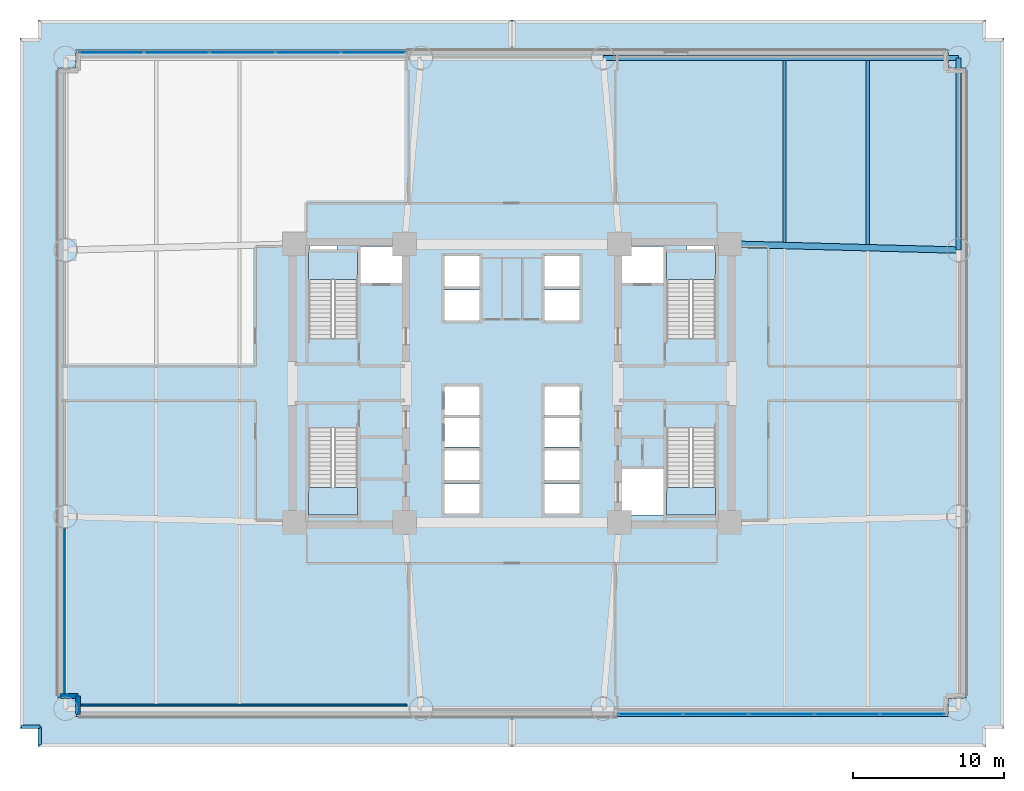
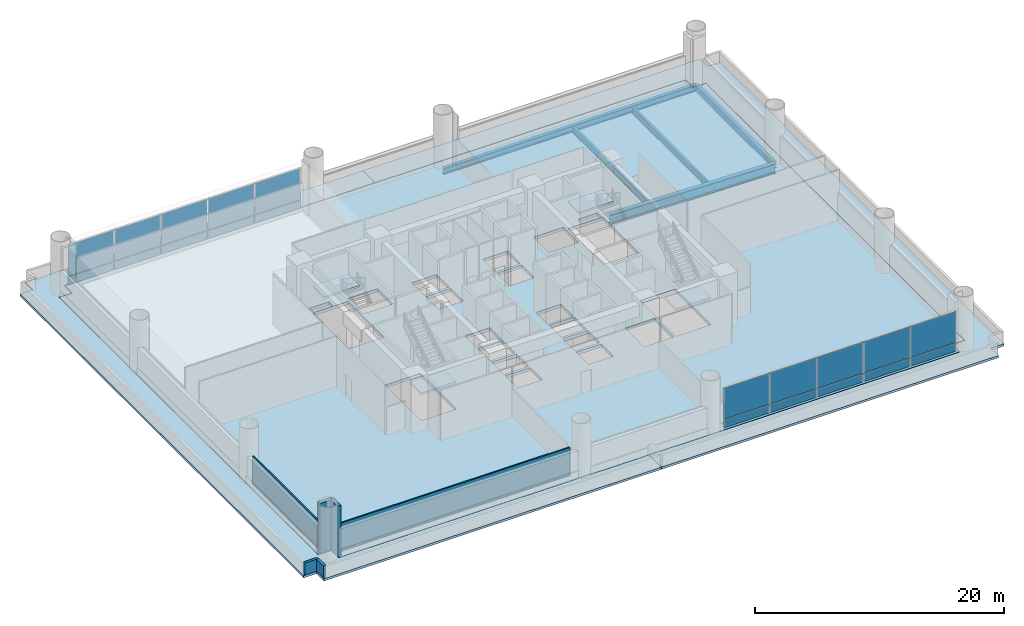
# One storey, part 4 of 12: 20 plates, 7 slabs, 6 walls, 5 beams, 6 elements without a shape of their own.
"""IFC4 building model written with IfcOpenShell, lengths in metres."""

import ifcopenshell
import ifcopenshell.guid

model = None  # the IFC model being written
_history = None  # IfcOwnerHistory: only IFC2X3 demands one
_inside = {}  # id of a spatial element -> (the spatial element, [elements in it])
_under = {}  # id of a project, library or spatial element -> (it, [spatial elements below it])
_declared = {}  # id of a project -> (the project, [libraries it declares])
_typed = {}  # id of a type object -> (the type object, [elements of that type])
_made_of = {}  # id of a material, layer set ... -> (it, [elements and type objects made of it])


def new_model(schema):
    """Start an empty IFC model of exactly this schema.

    Asked for "IFC4X3", IfcOpenShell would pick the latest addendum, in which some entities
    have other attributes; the version numbers below select the first issue.
    IFC2X3 requires an IfcOwnerHistory on every rooted entity: one is made here for all.
    """
    global model, _history
    if schema == "IFC4X3":
        model = ifcopenshell.file(schema_version=(4, 3, 0, 0))
    else:
        model = ifcopenshell.file(schema=schema)
    _inside.clear()
    _under.clear()
    _declared.clear()
    _typed.clear()
    _made_of.clear()
    _history = None
    if model.schema == "IFC2X3":
        org = make("IfcOrganization", Name="unknown")
        user = make(
            "IfcPersonAndOrganization",
            ThePerson=make("IfcPerson", FamilyName="unknown"),
            TheOrganization=org,
        )
        app = make(
            "IfcApplication",
            ApplicationDeveloper=org,
            Version="unknown",
            ApplicationFullName="unknown",
            ApplicationIdentifier="unknown",
        )
        _history = make(
            "IfcOwnerHistory",
            OwningUser=user,
            OwningApplication=app,
            ChangeAction="ADDED",
            CreationDate=0,
        )
    return model


def make(cls, **values):
    """One entity of the class cls with the attributes given. An attribute that is None is left unset."""
    return model.create_entity(
        cls, **{name: value for name, value in values.items() if value is not None}
    )


def rooted(cls, **values):
    """An entity with a GlobalId (a new one), such as an element, a storey or a relation."""
    return make(cls, GlobalId=ifcopenshell.guid.new(), OwnerHistory=_history, **values)


def si_unit(unit_type, name, prefix=None):
    """IfcSIUnit, for example si_unit("LENGTHUNIT", "METRE", prefix="MILLI")."""
    return make("IfcSIUnit", UnitType=unit_type, Prefix=prefix, Name=name)


def assignment(units):
    """IfcUnitAssignment: the units of a project."""
    return None if units is None else make("IfcUnitAssignment", Units=units)


def point(xyz):
    """IfcCartesianPoint."""
    return None if xyz is None else make("IfcCartesianPoint", Coordinates=xyz)


def direction(xyz):
    """IfcDirection."""
    return None if xyz is None else make("IfcDirection", DirectionRatios=xyz)


def frame(location, z_axis=None, x_axis=None):
    """IfcAxis2Placement3D, a coordinate frame: its origin and axes. An axis left out is left unset."""
    return make(
        "IfcAxis2Placement3D",
        Location=point(location),
        Axis=direction(z_axis),
        RefDirection=direction(x_axis),
    )


def frame_2d(location, x_axis=None):
    """IfcAxis2Placement2D, a coordinate frame in the plane: its origin and x axis."""
    return make(
        "IfcAxis2Placement2D", Location=point(location), RefDirection=direction(x_axis)
    )


def origin():
    """The frame at (0, 0, 0) with its axes left unset."""
    return frame((0.0, 0.0, 0.0))


def origin_2d():
    """The frame at (0, 0) in the plane with its x axis left unset."""
    return frame_2d((0.0, 0.0))


def place(relative_to, where):
    """IfcLocalPlacement: puts the frame where relative to a parent placement (None: the world)."""
    return make(
        "IfcLocalPlacement", PlacementRelTo=relative_to, RelativePlacement=where
    )


def context(
    kind, dimensions, precision=None, world=None, true_north=None, identifier=None
):
    """IfcGeometricRepresentationContext, for example the 3D "Model" context."""
    return make(
        "IfcGeometricRepresentationContext",
        ContextIdentifier=identifier,
        ContextType=kind,
        CoordinateSpaceDimension=dimensions,
        Precision=precision,
        WorldCoordinateSystem=world,
        TrueNorth=true_north,
    )


def subcontext(parent, identifier, kind, view, scale=None):
    """IfcGeometricRepresentationSubContext, for example "Body" below "Model"."""
    return make(
        "IfcGeometricRepresentationSubContext",
        ContextIdentifier=identifier,
        ContextType=kind,
        ParentContext=parent,
        TargetScale=scale,
        TargetView=view,
    )


def project(units=None, contexts=None):
    """IfcProject with its units and contexts."""
    return rooted(
        "IfcProject",
        Name="project",
        RepresentationContexts=contexts,
        UnitsInContext=assignment(units),
    )


def spatial(cls, under=None, at=None, **own):
    """A site, building, storey or space (cls), placed at a placement, below another one or the project."""
    s = rooted(cls, ObjectPlacement=at, **own)
    if under is not None:
        _under.setdefault(under.id(), (under, []))[1].append(s)
    return s


def polyline(points):
    """IfcPolyline through the points."""
    return make("IfcPolyline", Points=[point(p) for p in points])


def profile(cls, at=None, kind="AREA", **sizes):
    """A parametric profile (cls). Its sizes go by their IFC names, for example OverallWidth=200.0."""
    return make(cls, ProfileType=kind, Position=at, **sizes)


def rectangle(**sizes):
    """IfcRectangleProfileDef."""
    return profile("IfcRectangleProfileDef", **sizes)


def i_section(**sizes):
    """IfcIShapeProfileDef."""
    return profile("IfcIShapeProfileDef", **sizes)


def outline(outer, holes=None, kind="AREA"):
    """IfcArbitraryClosedProfileDef: a profile drawn as a closed curve; with holes, ...WithVoids."""
    if holes is None:
        return make("IfcArbitraryClosedProfileDef", ProfileType=kind, OuterCurve=outer)
    return make(
        "IfcArbitraryProfileDefWithVoids",
        ProfileType=kind,
        OuterCurve=outer,
        InnerCurves=holes,
    )


def extrude(swept, where, along, depth):
    """IfcExtrudedAreaSolid: the profile swept, set in the frame where, extruded along a direction by depth."""
    return make(
        "IfcExtrudedAreaSolid",
        SweptArea=swept,
        Position=where,
        ExtrudedDirection=direction(along),
        Depth=depth,
    )


def shape(context_of_items, identifier, shape_type, items):
    """IfcShapeRepresentation: the items that make up one representation, for example the "Body"."""
    return make(
        "IfcShapeRepresentation",
        ContextOfItems=context_of_items,
        RepresentationIdentifier=identifier,
        RepresentationType=shape_type,
        Items=items,
    )


def source(mapping_origin, context_of_items, identifier, shape_type, items):
    """IfcRepresentationMap: a shape defined once, which mapped items show again and again."""
    return make(
        "IfcRepresentationMap",
        MappingOrigin=mapping_origin,
        MappedRepresentation=shape(context_of_items, identifier, shape_type, items),
    )


def transform(
    local_origin,
    x_axis=None,
    y_axis=None,
    z_axis=None,
    scale=None,
    scale2=None,
    scale3=None,
    uniform=True,
):
    """IfcCartesianTransformationOperator3D, or its non-uniform kind. x_axis, y_axis, z_axis: its Axis1, 2, 3."""
    if uniform:
        return make(
            "IfcCartesianTransformationOperator3D",
            Axis1=direction(x_axis),
            Axis2=direction(y_axis),
            LocalOrigin=point(local_origin),
            Scale=scale,
            Axis3=direction(z_axis),
        )
    return make(
        "IfcCartesianTransformationOperator3DnonUniform",
        Axis1=direction(x_axis),
        Axis2=direction(y_axis),
        LocalOrigin=point(local_origin),
        Scale=scale,
        Axis3=direction(z_axis),
        Scale2=scale2,
        Scale3=scale3,
    )


def mapped(mapping_source, mapping_target):
    """IfcMappedItem: shows the shape of a source again, moved by a transform."""
    return make(
        "IfcMappedItem", MappingSource=mapping_source, MappingTarget=mapping_target
    )


def material(Name=None, Category=None):
    """IfcMaterial."""
    return make("IfcMaterial", Name=Name, Category=Category)


def layer(
    of_material, thickness, ventilated=None, Name=None, Category=None, Priority=None
):
    """IfcMaterialLayer: one layer of a wall or slab, of a material (None: an air gap)."""
    return make(
        "IfcMaterialLayer",
        Material=of_material,
        LayerThickness=thickness,
        IsVentilated=ventilated,
        Name=Name,
        Category=Category,
        Priority=Priority,
    )


def layer_set(layers, Name=None):
    """IfcMaterialLayerSet."""
    return make("IfcMaterialLayerSet", MaterialLayers=layers, LayerSetName=Name)


def material_profile(
    of_material, cross_section, Name=None, Category=None, Priority=None
):
    """IfcMaterialProfile: a cross section and its material."""
    return make(
        "IfcMaterialProfile",
        Name=Name,
        Material=of_material,
        Profile=cross_section,
        Priority=Priority,
        Category=Category,
    )


def profile_set(profiles, Name=None, composite=None):
    """IfcMaterialProfileSet."""
    return make(
        "IfcMaterialProfileSet",
        Name=Name,
        MaterialProfiles=profiles,
        CompositeProfile=composite,
    )


def made_of(thing, what):
    """Note that an element or type object is made of a material, layer set ...; save() writes the relation."""
    if what is not None:
        _made_of.setdefault(what.id(), (what, []))[1].append(thing)
    return thing


def type_object(cls, material=None, **own):
    """A type object (cls), such as IfcWallType, which elements share."""
    return made_of(rooted(cls, **own), material)


def element(
    cls,
    number,
    at=None,
    inside=None,
    cuts=None,
    type_object=None,
    material=None,
    context=None,
    identifier="Body",
    shape_type=None,
    held_by="IfcProductDefinitionShape",
    body=None,
    shapes=None,
    **own,
):
    """One element of the class cls, such as IfcWall. Its Tag is "e" and its number.

    at: its placement. inside: the storey or other place that contains it. cuts: it is an
    opening in that element (IfcRelVoidsElement). A single representation is given by context,
    identifier, shape_type and body (its items); several are given by shapes. held_by: the class
    of the entity that holds the representations. save() writes the other relations.
    """
    e = rooted(cls, Tag="e%d" % number, ObjectPlacement=at, **own)
    if body is not None:
        shapes = [shape(context, identifier, shape_type, body)]
    if shapes is not None:
        e.Representation = make(held_by, Representations=shapes)
    if inside is not None:
        _inside.setdefault(inside.id(), (inside, []))[1].append(e)
    if cuts is not None:
        rooted(
            "IfcRelVoidsElement", RelatingBuildingElement=cuts, RelatedOpeningElement=e
        )
    if type_object is not None:
        _typed.setdefault(type_object.id(), (type_object, []))[1].append(e)
    return made_of(e, material)


def aggregate(whole, parts):
    """IfcRelAggregates: a whole, such as a stair, and the parts it consists of."""
    return rooted("IfcRelAggregates", RelatingObject=whole, RelatedObjects=parts)


def save(model, path):
    """Write the relations noted so far, then the file.

    IfcRelAggregates (storeys below a building ...), IfcRelContainedInSpatialStructure (elements
    in a storey), IfcRelDefinesByType, IfcRelAssociatesMaterial and IfcRelDeclares: one each for
    every whole, place, type object, material and project.
    """
    for whole, parts in _under.values():
        aggregate(whole, parts)
    for where, things in _inside.values():
        rooted(
            "IfcRelContainedInSpatialStructure",
            RelatedElements=things,
            RelatingStructure=where,
        )
    for kind, things in _typed.values():
        rooted("IfcRelDefinesByType", RelatedObjects=things, RelatingType=kind)
    for what, things in _made_of.values():
        rooted("IfcRelAssociatesMaterial", RelatedObjects=things, RelatingMaterial=what)
    for by, libraries in _declared.values():
        rooted("IfcRelDeclares", RelatingContext=by, RelatedDefinitions=libraries)
    model.write(path)


model = new_model("IFC4")

# Units and contexts
model_context = context("Model", 3, precision=1e-05, world=origin(), true_north=direction((0.0, 1.0)))
body_context = subcontext(model_context, "Body", "Model", "MODEL_VIEW")
ifc_project = project(units=[si_unit("LENGTHUNIT", "METRE"), si_unit("AREAUNIT", "SQUARE_METRE"), si_unit("VOLUMEUNIT", "CUBIC_METRE"), si_unit("PLANEANGLEUNIT", "RADIAN"), si_unit("MASSUNIT", "GRAM", prefix="KILO")], contexts=[model_context])

# Site, building, storey
site_placement = place(None, origin())
site = spatial("IfcSite", under=ifc_project, at=site_placement, CompositionType="ELEMENT")
building_placement = place(site_placement, origin())
building = spatial("IfcBuilding", under=site, at=building_placement, Name="Zahravan Cultural Tower", CompositionType="ELEMENT")
storey_placement = place(building_placement, frame((0.0, 0.0, 18.0)))
storey = spatial("IfcBuildingStorey", under=building, at=storey_placement, Name="L03", CompositionType="ELEMENT", Elevation=18.0)

# Beams
ifc_material_1 = material(Name="Steel ASTM A992 Grade 50", Category="steel")
ifc_material_profile_1 = material_profile(ifc_material_1, i_section(OverallWidth=0.326904296875, OverallDepth=0.6220703125, WebThickness=0.015380859375, FlangeThickness=0.0244140625, FilletRadius=0.014892578125, at=origin_2d()), Name="W24X131")
ifc_profile_set_1 = profile_set([ifc_material_profile_1], Name="Steel ASTM A992 Grade 50")
beam_type_1 = type_object("IfcBeamType", Name="BM-SP-W24X131", PredefinedType="SPANDREL", material=ifc_profile_set_1)
shared_shape_1 = source(origin(), body_context, "Body", "SweptSolid", [
    extrude(i_section(OverallWidth=0.326904296875, OverallDepth=0.6220703125, WebThickness=0.015380859375, FlangeThickness=0.0244140625, FilletRadius=0.014892578125, at=origin_2d()), origin(), (0.0, 0.0, 1.0), 23.5),
])
beam_1_placement = place(storey_placement, frame((42.0, 48.5, -0.611083984375), z_axis=(1.0, 0.0, 0.0), x_axis=(0.0, 1.0, 0.0)))
element("IfcBeam", 1, at=beam_1_placement, inside=storey, type_object=beam_type_1, Name="L03 Beam BG-L03-12", PredefinedType="SPANDREL", context=body_context, shape_type="MappedRepresentation", body=[
    mapped(shared_shape_1, transform((0.0, 0.0, 0.0), x_axis=(1.0, 0.0, 0.0), y_axis=(0.0, 1.0, 0.0), z_axis=(0.0, 0.0, 1.0), scale=1.0)),
])
shared_shape_2 = source(origin(), body_context, "Body", "SweptSolid", [
    extrude(i_section(OverallWidth=0.326904296875, OverallDepth=0.6220703125, WebThickness=0.015380859375, FlangeThickness=0.0244140625, FilletRadius=0.014892578125, at=origin_2d()), origin(), (0.0, 0.0, 1.0), 12.699951171875),
])
beam_2_placement = place(storey_placement, frame((65.5, 35.800048828125, -0.611083984375), z_axis=(0.0, 1.0, 0.0), x_axis=(-1.0, 0.0, 0.0)))
element("IfcBeam", 2, at=beam_2_placement, inside=storey, type_object=beam_type_1, Name="L03 Beam BG-L03-18", PredefinedType="SPANDREL", context=body_context, shape_type="MappedRepresentation", body=[
    mapped(shared_shape_2, transform((0.0, 0.0, 0.0), x_axis=(1.0, 0.0, 0.0), y_axis=(0.0, 1.0, 0.0), z_axis=(0.0, 0.0, 1.0), scale=1.0)),
])
ifc_material_profile_2 = material_profile(ifc_material_1, i_section(OverallWidth=0.425048828125, OverallDepth=0.965087890625, WebThickness=0.0283203125, FlangeThickness=0.051025390625, FilletRadius=0.02392578125, at=origin_2d()), Name="W36X361")
ifc_profile_set_2 = profile_set([ifc_material_profile_2], Name="Steel ASTM A992 Grade 50")
beam_type_2 = type_object("IfcBeamType", Name="BM-G-W36X361", PredefinedType="BEAM", material=ifc_profile_set_2)
shared_shape_3 = source(origin(), body_context, "Body", "SweptSolid", [
    extrude(i_section(OverallWidth=0.425048828125, OverallDepth=0.965087890625, WebThickness=0.0283203125, FlangeThickness=0.051025390625, FilletRadius=0.02392578125, at=origin_2d()), origin(), (0.0, 0.0, 1.0), 15.1552734375),
])
beam_3_placement = place(storey_placement, frame((65.5, 35.800048828125, -0.782470703125), z_axis=(-0.999651797923, 0.026387173188, 0.0), x_axis=(-0.026387173188, -0.999651797923, 0.0)))
element("IfcBeam", 3, at=beam_3_placement, inside=storey, type_object=beam_type_2, Name="L03 Beam BG-L03-22", PredefinedType="BEAM", context=body_context, shape_type="MappedRepresentation", body=[
    mapped(shared_shape_3, transform((0.0, 0.0, 0.0), x_axis=(1.0, 0.0, 0.0), y_axis=(0.0, 1.0, 0.0), z_axis=(0.0, 0.0, 1.0), scale=1.0)),
])
ifc_material_profile_3 = material_profile(ifc_material_1, i_section(OverallWidth=0.22998046875, OverallDepth=0.616943359375, WebThickness=0.01318359375, FlangeThickness=0.022216796875, FilletRadius=0.014892578125, at=origin_2d()), Name="W24X94")
ifc_profile_set_3 = profile_set([ifc_material_profile_3], Name="Steel ASTM A992 Grade 50")
beam_type_3 = type_object("IfcBeamType", Name="BM-J-W24X94", PredefinedType="JOIST", material=ifc_profile_set_3)
shared_shape_4 = source(origin(), body_context, "Body", "SweptSolid", [
    extrude(i_section(OverallWidth=0.22998046875, OverallDepth=0.616943359375, WebThickness=0.01318359375, FlangeThickness=0.022216796875, FilletRadius=0.014892578125, at=origin_2d()), origin(), (0.0, 0.0, 1.0), 12.16357421875),
])
beam_4_placement = place(storey_placement, frame((59.5, 36.17138671875, -0.6083984375), z_axis=(0.0, 1.0, 0.0), x_axis=(-1.0, 0.0, 0.0)))
element("IfcBeam", 4, at=beam_4_placement, inside=storey, type_object=beam_type_3, Name="L03 Beam BJ-L03-38", PredefinedType="JOIST", context=body_context, shape_type="MappedRepresentation", body=[
    mapped(shared_shape_4, transform((0.0, 0.0, 0.0), x_axis=(1.0, 0.0, 0.0), y_axis=(0.0, 1.0, 0.0), z_axis=(0.0, 0.0, 1.0), scale=1.0)),
])
shared_shape_5 = source(origin(), body_context, "Body", "SweptSolid", [
    extrude(i_section(OverallWidth=0.22998046875, OverallDepth=0.616943359375, WebThickness=0.01318359375, FlangeThickness=0.022216796875, FilletRadius=0.014892578125, at=origin_2d()), origin(), (0.0, 0.0, 1.0), 12.018310546875),
])
beam_5_placement = place(storey_placement, frame((54.0, 36.316650390625, -0.6083984375), z_axis=(0.0, 1.0, 0.0), x_axis=(-1.0, 0.0, 0.0)))
element("IfcBeam", 5, at=beam_5_placement, inside=storey, type_object=beam_type_3, Name="L03 Beam BJ-L03-35", PredefinedType="JOIST", context=body_context, shape_type="MappedRepresentation", body=[
    mapped(shared_shape_5, transform((0.0, 0.0, 0.0), x_axis=(1.0, 0.0, 0.0), y_axis=(0.0, 1.0, 0.0), z_axis=(0.0, 0.0, 1.0), scale=1.0)),
])

# Slabs
ifc_material_2 = material(Name="Concrete C45/55", Category="concrete")
ifc_layer_1 = layer(ifc_material_2, 0.300048828125)
ifc_layer_set_1 = layer_set([ifc_layer_1], Name="Concrete C45/55")
slab_type_1 = type_object("IfcSlabType", Name="SL-POD-300", PredefinedType="FLOOR", material=ifc_layer_set_1)
slab_1_placement = place(storey_placement, frame((0.0, 0.0, -0.300048828125)))
element("IfcSlab", 6, at=slab_1_placement, inside=storey, type_object=slab_type_1, Name="L03 Structural Floor Slab", PredefinedType="FLOOR", context=body_context, shape_type="SweptSolid", body=[
    extrude(outline(polyline([(66.0, 47.800048828125), (64.800048828125, 47.800048828125), (64.800048828125, 49.0), (7.199951171875, 49.0), (7.199951171875, 47.800048828125), (6.0, 47.800048828125), (6.0, 6.199951171875), (7.199951171875, 6.199951171875), (7.199951171875, 5.0), (64.800048828125, 5.0), (64.800048828125, 6.199951171875), (66.0, 6.199951171875), (66.0, 47.800048828125)]), holes=[polyline([(22.550048828125, 29.949951171875), (22.550048828125, 35.699951171875), (25.800048828125, 35.699951171875), (25.800048828125, 29.949951171875), (22.550048828125, 29.949951171875)]), polyline([(22.550048828125, 18.300048828125), (22.550048828125, 24.050048828125), (25.800048828125, 24.050048828125), (25.800048828125, 18.300048828125), (22.550048828125, 18.300048828125)]), polyline([(46.199951171875, 29.949951171875), (46.199951171875, 35.699951171875), (49.449951171875, 35.699951171875), (49.449951171875, 29.949951171875), (46.199951171875, 29.949951171875)]), polyline([(46.199951171875, 18.300048828125), (46.199951171875, 24.050048828125), (49.449951171875, 24.050048828125), (49.449951171875, 18.300048828125), (46.199951171875, 18.300048828125)]), polyline([(26.0, 33.60009765625), (26.0, 36.050048828125), (28.75, 36.050048828125), (28.75, 33.60009765625), (26.0, 33.60009765625)]), polyline([(43.25, 33.60009765625), (43.25, 36.050048828125), (46.0, 36.050048828125), (46.0, 33.60009765625), (43.25, 33.60009765625)]), polyline([(43.25, 18.300048828125), (43.25, 21.35009765625), (46.0, 21.35009765625), (46.0, 18.300048828125), (43.25, 18.300048828125)]), polyline([(31.550048828125, 33.39990234375), (31.550048828125, 35.39990234375), (33.85009765625, 35.39990234375), (33.85009765625, 33.39990234375), (31.550048828125, 33.39990234375)]), polyline([(31.550048828125, 31.14990234375), (31.550048828125, 33.14990234375), (33.85009765625, 33.14990234375), (33.85009765625, 31.14990234375), (31.550048828125, 31.14990234375)]), polyline([(38.14990234375, 33.39990234375), (38.14990234375, 35.39990234375), (40.449951171875, 35.39990234375), (40.449951171875, 33.39990234375), (38.14990234375, 33.39990234375)]), polyline([(38.14990234375, 31.14990234375), (38.14990234375, 33.14990234375), (40.449951171875, 33.14990234375), (40.449951171875, 31.14990234375), (38.14990234375, 31.14990234375)]), polyline([(31.550048828125, 20.60009765625), (31.550048828125, 22.550048828125), (33.85009765625, 22.550048828125), (33.85009765625, 20.60009765625), (31.550048828125, 20.60009765625)]), polyline([(31.550048828125, 18.39990234375), (31.550048828125, 20.35009765625), (33.85009765625, 20.35009765625), (33.85009765625, 18.39990234375), (31.550048828125, 18.39990234375)]), polyline([(38.14990234375, 20.60009765625), (38.14990234375, 22.550048828125), (40.449951171875, 22.550048828125), (40.449951171875, 20.60009765625), (38.14990234375, 20.60009765625)]), polyline([(38.14990234375, 18.39990234375), (38.14990234375, 20.35009765625), (40.449951171875, 20.35009765625), (40.449951171875, 18.39990234375), (38.14990234375, 18.39990234375)]), polyline([(31.550048828125, 24.89990234375), (31.550048828125, 26.800048828125), (33.85009765625, 26.800048828125), (33.85009765625, 24.89990234375), (31.550048828125, 24.89990234375)]), polyline([(31.550048828125, 22.800048828125), (31.550048828125, 24.699951171875), (33.85009765625, 24.699951171875), (33.85009765625, 22.800048828125), (31.550048828125, 22.800048828125)]), polyline([(38.14990234375, 24.89990234375), (38.14990234375, 26.800048828125), (40.449951171875, 26.800048828125), (40.449951171875, 24.89990234375), (38.14990234375, 24.89990234375)]), polyline([(38.14990234375, 22.800048828125), (38.14990234375, 24.699951171875), (40.449951171875, 24.699951171875), (40.449951171875, 22.800048828125), (38.14990234375, 22.800048828125)]), polyline([(22.64990234375, 35.800048828125), (22.64990234375, 36.419921875), (24.449951171875, 36.419921875), (24.449951171875, 35.800048828125), (22.64990234375, 35.800048828125)]), polyline([(47.550048828125, 35.800048828125), (47.550048828125, 36.419921875), (49.35009765625, 36.419921875), (49.35009765625, 35.800048828125), (47.550048828125, 35.800048828125)])]), origin(), (0.0, 0.0, 1.0), 0.300048828125),
])
ifc_material_3 = material(Name="Precast concrete C40/50", Category="concrete")
ifc_layer_2 = layer(ifc_material_3, 0.219970703125)
ifc_layer_set_2 = layer_set([ifc_layer_2], Name="Precast concrete C40/50")
slab_type_2 = type_object("IfcSlabType", Name="SL-ROOF-220", PredefinedType="ROOF", material=ifc_layer_set_2)
slab_2_placement = place(storey_placement, frame((0.0, 0.0, -0.219970703125)))
element("IfcSlab", 7, at=slab_2_placement, inside=storey, type_object=slab_type_2, Name="L03 Setback Roof Slab 1", PredefinedType="ROOF", context=body_context, shape_type="SweptSolid", body=[
    extrude(outline(polyline([(36.0, 3.0), (36.0, 4.97998046875), (7.199951171875, 4.97998046875), (7.185791015625, 4.98583984375), (7.179931640625, 5.0), (7.179931640625, 6.179931640625), (6.0, 6.179931640625), (5.9833984375, 6.18896484375), (5.97998046875, 47.800048828125), (5.98583984375, 47.814208984375), (6.0, 47.820068359375), (7.179931640625, 47.820068359375), (7.179931640625, 49.0), (7.185791015625, 49.01416015625), (7.199951171875, 49.02001953125), (36.0, 49.02001953125), (36.0, 51.0), (4.699951171875, 51.0), (4.699951171875, 49.800048828125), (3.5, 49.800048828125), (3.5, 4.199951171875), (4.699951171875, 4.199951171875), (4.699951171875, 3.0), (36.0, 3.0)])), origin(), (0.0, 0.0, 1.0), 0.219970703125),
])
slab_3_placement = place(storey_placement, frame((0.0, 0.0, -0.219970703125)))
element("IfcSlab", 8, at=slab_3_placement, inside=storey, type_object=slab_type_2, Name="L03 Setback Roof Slab 2", PredefinedType="ROOF", context=body_context, shape_type="SweptSolid", body=[
    extrude(outline(polyline([(67.300048828125, 3.0), (67.300048828125, 4.199951171875), (68.5, 4.199951171875), (68.5, 49.800048828125), (67.300048828125, 49.800048828125), (67.300048828125, 51.0), (36.0, 51.0), (36.0, 49.02001953125), (64.800048828125, 49.02001953125), (64.814208984375, 49.01416015625), (64.820068359375, 49.0), (64.820068359375, 47.820068359375), (66.0, 47.820068359375), (66.0166015625, 47.81103515625), (66.02001953125, 6.199951171875), (66.01416015625, 6.185791015625), (66.0, 6.179931640625), (64.820068359375, 6.179931640625), (64.820068359375, 5.0), (64.814208984375, 4.98583984375), (64.800048828125, 4.97998046875), (36.0, 4.97998046875), (36.0, 3.0), (67.300048828125, 3.0)])), origin(), (0.0, 0.0, 1.0), 0.219970703125),
])

# Stair, slab
stair_type = type_object("IfcStairType", Name="STR-DL-1550-540", PredefinedType="HALF_TURN_STAIR", material=ifc_material_2)
stair_1_placement = place(storey_placement, origin())
stair_1 = element("IfcStair", 9, at=stair_1_placement, inside=storey, type_object=stair_type, Name="L03 West Core North Exit Stair ST-W1", PredefinedType="HALF_TURN_STAIR")
ifc_layer_3 = layer(ifc_material_2, 0.199951171875)
ifc_layer_set_3 = layer_set([ifc_layer_3], Name="Concrete C45/55")
slab_type_3 = type_object("IfcSlabType", Name="SL-STAIR-LND200", PredefinedType="LANDING", material=ifc_layer_set_3)
slab_4_placement = place(storey_placement, frame((0.0, 0.0, 2.5)))
slab_4 = element("IfcSlab", 10, at=slab_4_placement, type_object=slab_type_3, Name="ST-W1 landing 1", PredefinedType="LANDING", context=body_context, shape_type="SweptSolid", body=[
    extrude(outline(polyline([(25.800048828125, 33.8701171875), (25.800048828125, 35.699951171875), (22.550048828125, 35.699951171875), (22.550048828125, 33.8701171875), (25.800048828125, 33.8701171875)])), origin(), (0.0, 0.0, 1.0), 0.199951171875),
])
aggregate(stair_1, [slab_4])

stair_2_placement = place(storey_placement, origin())
stair_2 = element("IfcStair", 11, at=stair_2_placement, inside=storey, type_object=stair_type, Name="L03 West Core South Exit Stair ST-W2", PredefinedType="HALF_TURN_STAIR")
slab_5_placement = place(storey_placement, frame((0.0, 0.0, 2.5)))
slab_5 = element("IfcSlab", 12, at=slab_5_placement, type_object=slab_type_3, Name="ST-W2 landing 1", PredefinedType="LANDING", context=body_context, shape_type="SweptSolid", body=[
    extrude(outline(polyline([(22.550048828125, 20.1298828125), (22.550048828125, 18.300048828125), (25.800048828125, 18.300048828125), (25.800048828125, 20.1298828125), (22.550048828125, 20.1298828125)])), origin(), (0.0, 0.0, 1.0), 0.199951171875),
])
aggregate(stair_2, [slab_5])

stair_3_placement = place(storey_placement, origin())
stair_3 = element("IfcStair", 13, at=stair_3_placement, inside=storey, type_object=stair_type, Name="L03 East Core North Exit Stair ST-E1", PredefinedType="HALF_TURN_STAIR")
slab_6_placement = place(storey_placement, frame((0.0, 0.0, 2.5)))
slab_6 = element("IfcSlab", 14, at=slab_6_placement, type_object=slab_type_3, Name="ST-E1 landing 1", PredefinedType="LANDING", context=body_context, shape_type="SweptSolid", body=[
    extrude(outline(polyline([(49.449951171875, 33.8701171875), (49.449951171875, 35.699951171875), (46.199951171875, 35.699951171875), (46.199951171875, 33.8701171875), (49.449951171875, 33.8701171875)])), origin(), (0.0, 0.0, 1.0), 0.199951171875),
])
aggregate(stair_3, [slab_6])

stair_4_placement = place(storey_placement, origin())
stair_4 = element("IfcStair", 15, at=stair_4_placement, inside=storey, type_object=stair_type, Name="L03 East Core South Exit Stair ST-E2", PredefinedType="HALF_TURN_STAIR")
slab_7_placement = place(storey_placement, frame((0.0, 0.0, 2.5)))
slab_7 = element("IfcSlab", 16, at=slab_7_placement, type_object=slab_type_3, Name="ST-E2 landing 1", PredefinedType="LANDING", context=body_context, shape_type="SweptSolid", body=[
    extrude(outline(polyline([(46.199951171875, 20.1298828125), (46.199951171875, 18.300048828125), (49.449951171875, 18.300048828125), (49.449951171875, 20.1298828125), (46.199951171875, 20.1298828125)])), origin(), (0.0, 0.0, 1.0), 0.199951171875),
])
aggregate(stair_4, [slab_7])

# Curtain wall, plates
ifc_material_4 = material(Name="Anodised bronze-aluminium mullion", Category="aluminium")
ifc_layer_4 = layer(ifc_material_4, 0.239990234375)
ifc_layer_set_4 = layer_set([ifc_layer_4], Name="Anodised bronze-aluminium mullion")
curtain_wall_type = type_object("IfcCurtainWallType", Name="CW-SYS-5", PredefinedType="USERDEFINED", material=ifc_layer_set_4)
curtain_wall_1_placement = place(storey_placement, origin())
curtain_wall_1 = element("IfcCurtainWall", 17, at=curtain_wall_1_placement, inside=storey, type_object=curtain_wall_type, Name="L03 Recessed Curtain Wall CW-5.1", ObjectType="RECESSED GLAZING", PredefinedType="USERDEFINED")
ifc_material_5 = material(Name="Low-E solar-control double glazing", Category="glass")
ifc_layer_5 = layer(ifc_material_5, 0.035888671875)
ifc_layer_set_5 = layer_set([ifc_layer_5], Name="Low-E solar-control double glazing")
plate_type = type_object("IfcPlateType", Name="CWP-CW-5", PredefinedType="CURTAIN_PANEL", material=ifc_layer_set_5)
shared_shape_6 = source(origin(), body_context, "Body", "SweptSolid", [
    extrude(rectangle(XDim=4.214599609375, YDim=0.035888671875, at=origin_2d()), origin(), (0.0, 0.0, 1.0), 0.7724609375),
])
plate_1_placement = place(storey_placement, frame((62.4677734375, 5.139892578125, 0.0849609375), z_axis=(0.0, 0.0, 1.0), x_axis=(-1.0, 0.0, 0.0)))
plate_1 = element("IfcPlate", 18, at=plate_1_placement, type_object=plate_type, Name="CW-5 panel 1.1", PredefinedType="CURTAIN_PANEL", context=body_context, shape_type="MappedRepresentation", body=[
    mapped(shared_shape_6, transform((0.0, 0.0, 0.0), x_axis=(1.0, 0.0, 0.0), y_axis=(0.0, 1.0, 0.0), z_axis=(0.0, 0.0, 1.0), scale=1.0)),
])
plate_2_placement = place(storey_placement, frame((45.142333984375, 5.139892578125, 0.0849609375), z_axis=(0.0, 0.0, 1.0), x_axis=(-1.0, 0.0, 0.0)))
plate_2 = element("IfcPlate", 19, at=plate_2_placement, type_object=plate_type, Name="CW-5 panel 5.1", PredefinedType="CURTAIN_PANEL", context=body_context, shape_type="MappedRepresentation", body=[
    mapped(shared_shape_6, transform((0.0, 0.0, 0.0), x_axis=(1.0, 0.0, 0.0), y_axis=(0.0, 1.0, 0.0), z_axis=(0.0, 0.0, 1.0), scale=1.0)),
])

curtain_wall_2_placement = place(storey_placement, origin())
curtain_wall_2 = element("IfcCurtainWall", 20, at=curtain_wall_2_placement, inside=storey, type_object=curtain_wall_type, Name="L03 Recessed Curtain Wall CW-5.2", ObjectType="RECESSED GLAZING", PredefinedType="USERDEFINED")
plate_3_placement = place(storey_placement, frame((9.5322265625, 48.860107421875, 0.0849609375), z_axis=(0.0, 0.0, 1.0), x_axis=(1.0, 0.0, 0.0)))
plate_3 = element("IfcPlate", 21, at=plate_3_placement, type_object=plate_type, Name="CW-5 panel 1.1", PredefinedType="CURTAIN_PANEL", context=body_context, shape_type="MappedRepresentation", body=[
    mapped(shared_shape_6, transform((0.0, 0.0, 0.0), x_axis=(1.0, 0.0, 0.0), y_axis=(0.0, 1.0, 0.0), z_axis=(0.0, 0.0, 1.0), scale=1.0)),
])
plate_4_placement = place(storey_placement, frame((26.857666015625, 48.860107421875, 0.0849609375), z_axis=(0.0, 0.0, 1.0), x_axis=(1.0, 0.0, 0.0)))
plate_4 = element("IfcPlate", 22, at=plate_4_placement, type_object=plate_type, Name="CW-5 panel 5.1", PredefinedType="CURTAIN_PANEL", context=body_context, shape_type="MappedRepresentation", body=[
    mapped(shared_shape_6, transform((0.0, 0.0, 0.0), x_axis=(1.0, 0.0, 0.0), y_axis=(0.0, 1.0, 0.0), z_axis=(0.0, 0.0, 1.0), scale=1.0)),
])

# Plate
shared_shape_7 = source(origin(), body_context, "Body", "SweptSolid", [
    extrude(rectangle(XDim=4.214599609375, YDim=0.035888671875, at=origin_2d()), origin(), (0.0, 0.0, 1.0), 3.04248046875),
])
plate_5_placement = place(storey_placement, frame((62.4677734375, 5.139892578125, 0.942626953125), z_axis=(0.0, 0.0, 1.0), x_axis=(-1.0, 0.0, 0.0)))
plate_5 = element("IfcPlate", 23, at=plate_5_placement, type_object=plate_type, Name="CW-5 panel 1.2", PredefinedType="CURTAIN_PANEL", context=body_context, shape_type="MappedRepresentation", body=[
    mapped(shared_shape_7, transform((0.0, 0.0, 0.0), x_axis=(1.0, 0.0, 0.0), y_axis=(0.0, 1.0, 0.0), z_axis=(0.0, 0.0, 1.0), scale=1.0)),
])

plate_6_placement = place(storey_placement, frame((45.142333984375, 5.139892578125, 0.942626953125), z_axis=(0.0, 0.0, 1.0), x_axis=(-1.0, 0.0, 0.0)))
plate_6 = element("IfcPlate", 24, at=plate_6_placement, type_object=plate_type, Name="CW-5 panel 5.2", PredefinedType="CURTAIN_PANEL", context=body_context, shape_type="MappedRepresentation", body=[
    mapped(shared_shape_7, transform((0.0, 0.0, 0.0), x_axis=(1.0, 0.0, 0.0), y_axis=(0.0, 1.0, 0.0), z_axis=(0.0, 0.0, 1.0), scale=1.0)),
])

plate_7_placement = place(storey_placement, frame((9.5322265625, 48.860107421875, 0.942626953125), z_axis=(0.0, 0.0, 1.0), x_axis=(1.0, 0.0, 0.0)))
plate_7 = element("IfcPlate", 25, at=plate_7_placement, type_object=plate_type, Name="CW-5 panel 1.2", PredefinedType="CURTAIN_PANEL", context=body_context, shape_type="MappedRepresentation", body=[
    mapped(shared_shape_7, transform((0.0, 0.0, 0.0), x_axis=(1.0, 0.0, 0.0), y_axis=(0.0, 1.0, 0.0), z_axis=(0.0, 0.0, 1.0), scale=1.0)),
])

plate_8_placement = place(storey_placement, frame((26.857666015625, 48.860107421875, 0.942626953125), z_axis=(0.0, 0.0, 1.0), x_axis=(1.0, 0.0, 0.0)))
plate_8 = element("IfcPlate", 26, at=plate_8_placement, type_object=plate_type, Name="CW-5 panel 5.2", PredefinedType="CURTAIN_PANEL", context=body_context, shape_type="MappedRepresentation", body=[
    mapped(shared_shape_7, transform((0.0, 0.0, 0.0), x_axis=(1.0, 0.0, 0.0), y_axis=(0.0, 1.0, 0.0), z_axis=(0.0, 0.0, 1.0), scale=1.0)),
])

shared_shape_8 = source(origin(), body_context, "Body", "SweptSolid", [
    extrude(rectangle(XDim=4.257080078125, YDim=0.035888671875, at=origin_2d()), origin(), (0.0, 0.0, 1.0), 0.7724609375),
])
plate_9_placement = place(storey_placement, frame((58.14697265625, 5.139892578125, 0.0849609375), z_axis=(0.0, 0.0, 1.0), x_axis=(-1.0, 0.0, 0.0)))
plate_9 = element("IfcPlate", 27, at=plate_9_placement, type_object=plate_type, Name="CW-5 panel 2.1", PredefinedType="CURTAIN_PANEL", context=body_context, shape_type="MappedRepresentation", body=[
    mapped(shared_shape_8, transform((0.0, 0.0, 0.0), x_axis=(1.0, 0.0, 0.0), y_axis=(0.0, 1.0, 0.0), z_axis=(0.0, 0.0, 1.0), scale=1.0)),
])

plate_10_placement = place(storey_placement, frame((53.804931640625, 5.139892578125, 0.0849609375), z_axis=(0.0, 0.0, 1.0), x_axis=(-1.0, 0.0, 0.0)))
plate_10 = element("IfcPlate", 28, at=plate_10_placement, type_object=plate_type, Name="CW-5 panel 3.1", PredefinedType="CURTAIN_PANEL", context=body_context, shape_type="MappedRepresentation", body=[
    mapped(shared_shape_8, transform((0.0, 0.0, 0.0), x_axis=(1.0, 0.0, 0.0), y_axis=(0.0, 1.0, 0.0), z_axis=(0.0, 0.0, 1.0), scale=1.0)),
])

plate_11_placement = place(storey_placement, frame((49.462890625, 5.139892578125, 0.0849609375), z_axis=(0.0, 0.0, 1.0), x_axis=(-1.0, 0.0, 0.0)))
plate_11 = element("IfcPlate", 29, at=plate_11_placement, type_object=plate_type, Name="CW-5 panel 4.1", PredefinedType="CURTAIN_PANEL", context=body_context, shape_type="MappedRepresentation", body=[
    mapped(shared_shape_8, transform((0.0, 0.0, 0.0), x_axis=(1.0, 0.0, 0.0), y_axis=(0.0, 1.0, 0.0), z_axis=(0.0, 0.0, 1.0), scale=1.0)),
])

plate_12_placement = place(storey_placement, frame((13.85302734375, 48.860107421875, 0.0849609375), z_axis=(0.0, 0.0, 1.0), x_axis=(1.0, 0.0, 0.0)))
plate_12 = element("IfcPlate", 30, at=plate_12_placement, type_object=plate_type, Name="CW-5 panel 2.1", PredefinedType="CURTAIN_PANEL", context=body_context, shape_type="MappedRepresentation", body=[
    mapped(shared_shape_8, transform((0.0, 0.0, 0.0), x_axis=(1.0, 0.0, 0.0), y_axis=(0.0, 1.0, 0.0), z_axis=(0.0, 0.0, 1.0), scale=1.0)),
])

plate_13_placement = place(storey_placement, frame((18.195068359375, 48.860107421875, 0.0849609375), z_axis=(0.0, 0.0, 1.0), x_axis=(1.0, 0.0, 0.0)))
plate_13 = element("IfcPlate", 31, at=plate_13_placement, type_object=plate_type, Name="CW-5 panel 3.1", PredefinedType="CURTAIN_PANEL", context=body_context, shape_type="MappedRepresentation", body=[
    mapped(shared_shape_8, transform((0.0, 0.0, 0.0), x_axis=(1.0, 0.0, 0.0), y_axis=(0.0, 1.0, 0.0), z_axis=(0.0, 0.0, 1.0), scale=1.0)),
])

plate_14_placement = place(storey_placement, frame((22.537109375, 48.860107421875, 0.0849609375), z_axis=(0.0, 0.0, 1.0), x_axis=(1.0, 0.0, 0.0)))
plate_14 = element("IfcPlate", 32, at=plate_14_placement, type_object=plate_type, Name="CW-5 panel 4.1", PredefinedType="CURTAIN_PANEL", context=body_context, shape_type="MappedRepresentation", body=[
    mapped(shared_shape_8, transform((0.0, 0.0, 0.0), x_axis=(1.0, 0.0, 0.0), y_axis=(0.0, 1.0, 0.0), z_axis=(0.0, 0.0, 1.0), scale=1.0)),
])

shared_shape_9 = source(origin(), body_context, "Body", "SweptSolid", [
    extrude(rectangle(XDim=4.257080078125, YDim=0.035888671875, at=origin_2d()), origin(), (0.0, 0.0, 1.0), 3.04248046875),
])
plate_15_placement = place(storey_placement, frame((58.14697265625, 5.139892578125, 0.942626953125), z_axis=(0.0, 0.0, 1.0), x_axis=(-1.0, 0.0, 0.0)))
plate_15 = element("IfcPlate", 33, at=plate_15_placement, type_object=plate_type, Name="CW-5 panel 2.2", PredefinedType="CURTAIN_PANEL", context=body_context, shape_type="MappedRepresentation", body=[
    mapped(shared_shape_9, transform((0.0, 0.0, 0.0), x_axis=(1.0, 0.0, 0.0), y_axis=(0.0, 1.0, 0.0), z_axis=(0.0, 0.0, 1.0), scale=1.0)),
])

plate_16_placement = place(storey_placement, frame((53.804931640625, 5.139892578125, 0.942626953125), z_axis=(0.0, 0.0, 1.0), x_axis=(-1.0, 0.0, 0.0)))
plate_16 = element("IfcPlate", 34, at=plate_16_placement, type_object=plate_type, Name="CW-5 panel 3.2", PredefinedType="CURTAIN_PANEL", context=body_context, shape_type="MappedRepresentation", body=[
    mapped(shared_shape_9, transform((0.0, 0.0, 0.0), x_axis=(1.0, 0.0, 0.0), y_axis=(0.0, 1.0, 0.0), z_axis=(0.0, 0.0, 1.0), scale=1.0)),
])

plate_17_placement = place(storey_placement, frame((49.462890625, 5.139892578125, 0.942626953125), z_axis=(0.0, 0.0, 1.0), x_axis=(-1.0, 0.0, 0.0)))
plate_17 = element("IfcPlate", 35, at=plate_17_placement, type_object=plate_type, Name="CW-5 panel 4.2", PredefinedType="CURTAIN_PANEL", context=body_context, shape_type="MappedRepresentation", body=[
    mapped(shared_shape_9, transform((0.0, 0.0, 0.0), x_axis=(1.0, 0.0, 0.0), y_axis=(0.0, 1.0, 0.0), z_axis=(0.0, 0.0, 1.0), scale=1.0)),
])

aggregate(curtain_wall_1, [plate_1, plate_5, plate_9, plate_15, plate_10, plate_16, plate_11, plate_17, plate_2, plate_6])

plate_18_placement = place(storey_placement, frame((13.85302734375, 48.860107421875, 0.942626953125), z_axis=(0.0, 0.0, 1.0), x_axis=(1.0, 0.0, 0.0)))
plate_18 = element("IfcPlate", 36, at=plate_18_placement, type_object=plate_type, Name="CW-5 panel 2.2", PredefinedType="CURTAIN_PANEL", context=body_context, shape_type="MappedRepresentation", body=[
    mapped(shared_shape_9, transform((0.0, 0.0, 0.0), x_axis=(1.0, 0.0, 0.0), y_axis=(0.0, 1.0, 0.0), z_axis=(0.0, 0.0, 1.0), scale=1.0)),
])

plate_19_placement = place(storey_placement, frame((18.195068359375, 48.860107421875, 0.942626953125), z_axis=(0.0, 0.0, 1.0), x_axis=(1.0, 0.0, 0.0)))
plate_19 = element("IfcPlate", 37, at=plate_19_placement, type_object=plate_type, Name="CW-5 panel 3.2", PredefinedType="CURTAIN_PANEL", context=body_context, shape_type="MappedRepresentation", body=[
    mapped(shared_shape_9, transform((0.0, 0.0, 0.0), x_axis=(1.0, 0.0, 0.0), y_axis=(0.0, 1.0, 0.0), z_axis=(0.0, 0.0, 1.0), scale=1.0)),
])

plate_20_placement = place(storey_placement, frame((22.537109375, 48.860107421875, 0.942626953125), z_axis=(0.0, 0.0, 1.0), x_axis=(1.0, 0.0, 0.0)))
plate_20 = element("IfcPlate", 38, at=plate_20_placement, type_object=plate_type, Name="CW-5 panel 4.2", PredefinedType="CURTAIN_PANEL", context=body_context, shape_type="MappedRepresentation", body=[
    mapped(shared_shape_9, transform((0.0, 0.0, 0.0), x_axis=(1.0, 0.0, 0.0), y_axis=(0.0, 1.0, 0.0), z_axis=(0.0, 0.0, 1.0), scale=1.0)),
])

aggregate(curtain_wall_2, [plate_3, plate_7, plate_12, plate_18, plate_13, plate_19, plate_14, plate_20, plate_4, plate_8])

# Walls
ifc_layer_6 = layer(ifc_material_3, 0.219970703125)
ifc_layer_set_6 = layer_set([ifc_layer_6], Name="Precast concrete C40/50")
wall_type_1 = type_object("IfcWallType", Name="EW-PARAPET-220", PredefinedType="PARAPET", material=ifc_layer_set_6)
shared_shape_10 = source(origin(), body_context, "Body", "SweptSolid", [
    extrude(rectangle(XDim=1.199951171875, YDim=0.219970703125, at=frame_2d((0.60009765625, 0.0))), origin(), (0.0, 0.0, 1.0), 1.199951171875),
])
for number, where, z_axis, x_axis, name in (
    (39, (4.81005859375, 3.110107421875, 0.0), (0.0, 0.0, 1.0), (0.0, 1.0, 0.0), "L03 Setback Roof Parapet 2"),
    (40, (4.81005859375, 4.31005859375, 0.0), (0.0, 0.0, 1.0), (-1.0, 0.0, 0.0), "L03 Setback Roof Parapet 3"),
):
    element("IfcWall", number, at=place(storey_placement, frame(where, z_axis=z_axis, x_axis=x_axis)), inside=storey, type_object=wall_type_1, Name=name, PredefinedType="PARAPET", context=body_context, shape_type="MappedRepresentation", body=[
        mapped(shared_shape_10, transform((0.0, 0.0, 0.0), x_axis=(1.0, 0.0, 0.0), y_axis=(0.0, 1.0, 0.0), z_axis=(0.0, 0.0, 1.0), scale=1.0)),
    ])
ifc_layer_7 = layer(ifc_material_3, 0.320068359375)
ifc_layer_set_7 = layer_set([ifc_layer_7], Name="Precast concrete C40/50")
wall_type_2 = type_object("IfcWallType", Name="EW-TC-320", PredefinedType="SOLIDWALL", material=ifc_layer_set_7)
shared_shape_11 = source(origin(), body_context, "Body", "SweptSolid", [
    extrude(rectangle(XDim=1.2001953125, YDim=0.320068359375, at=frame_2d((0.60009765625, 0.0))), origin(), (0.0, 0.0, 1.0), 4.949951171875),
])
for number, where, z_axis, x_axis, name in (
    (41, (7.340087890625, 5.139892578125, 0.0), (0.0, 0.0, 1.0), (0.0, 1.0, 0.0), "L03 Exterior Masonry Frame Wall 05"),
    (42, (7.340087890625, 6.340087890625, 0.0), (0.0, 0.0, 1.0), (-1.0, 0.0, 0.0), "L03 Exterior Masonry Frame Wall 06"),
):
    element("IfcWall", number, at=place(storey_placement, frame(where, z_axis=z_axis, x_axis=x_axis)), inside=storey, type_object=wall_type_2, Name=name, PredefinedType="SOLIDWALL", context=body_context, shape_type="MappedRepresentation", body=[
        mapped(shared_shape_11, transform((0.0, 0.0, 0.0), x_axis=(1.0, 0.0, 0.0), y_axis=(0.0, 1.0, 0.0), z_axis=(0.0, 0.0, 1.0), scale=1.0)),
    ])
ifc_material_6 = material(Name="Gypsum plasterboard partition")
ifc_layer_8 = layer(ifc_material_6, 0.125)
ifc_layer_set_8 = layer_set([ifc_layer_8], Name="Gypsum plasterboard partition")
wall_type_3 = type_object("IfcWallType", Name="W-PART-125", PredefinedType="PARTITIONING", material=ifc_layer_set_8)
shared_shape_12 = source(origin(), body_context, "Body", "SweptSolid", [
    extrude(rectangle(XDim=21.55517578125, YDim=0.125, at=frame_2d((10.777587890625, 0.0))), origin(), (0.0, 0.0, 1.0), 2.741943359375),
])
wall_1_placement = place(storey_placement, frame((29.06005859375, 5.739990234375, 0.0), z_axis=(0.0, 0.0, 1.0), x_axis=(-1.0, 0.0, 0.0)))
element("IfcWall", 43, at=wall_1_placement, inside=storey, type_object=wall_type_3, Name="L03 Interior Wall 084", PredefinedType="PARTITIONING", context=body_context, shape_type="MappedRepresentation", body=[
    mapped(shared_shape_12, transform((0.0, 0.0, 0.0), x_axis=(1.0, 0.0, 0.0), y_axis=(0.0, 1.0, 0.0), z_axis=(0.0, 0.0, 1.0), scale=1.0)),
])
shared_shape_13 = source(origin(), body_context, "Body", "SweptSolid", [
    extrude(rectangle(XDim=10.875, YDim=0.125, at=frame_2d((5.4375, 0.0))), origin(), (0.0, 0.0, 1.0), 2.741943359375),
])
wall_2_placement = place(storey_placement, frame((6.43994140625, 6.5048828125, 0.0), z_axis=(0.0, 0.0, 1.0), x_axis=(0.0, 1.0, 0.0)))
element("IfcWall", 44, at=wall_2_placement, inside=storey, type_object=wall_type_3, Name="L03 Interior Wall 085", PredefinedType="PARTITIONING", context=body_context, shape_type="MappedRepresentation", body=[
    mapped(shared_shape_13, transform((0.0, 0.0, 0.0), x_axis=(1.0, 0.0, 0.0), y_axis=(0.0, 1.0, 0.0), z_axis=(0.0, 0.0, 1.0), scale=1.0)),
])

save(model, "model.ifc")
